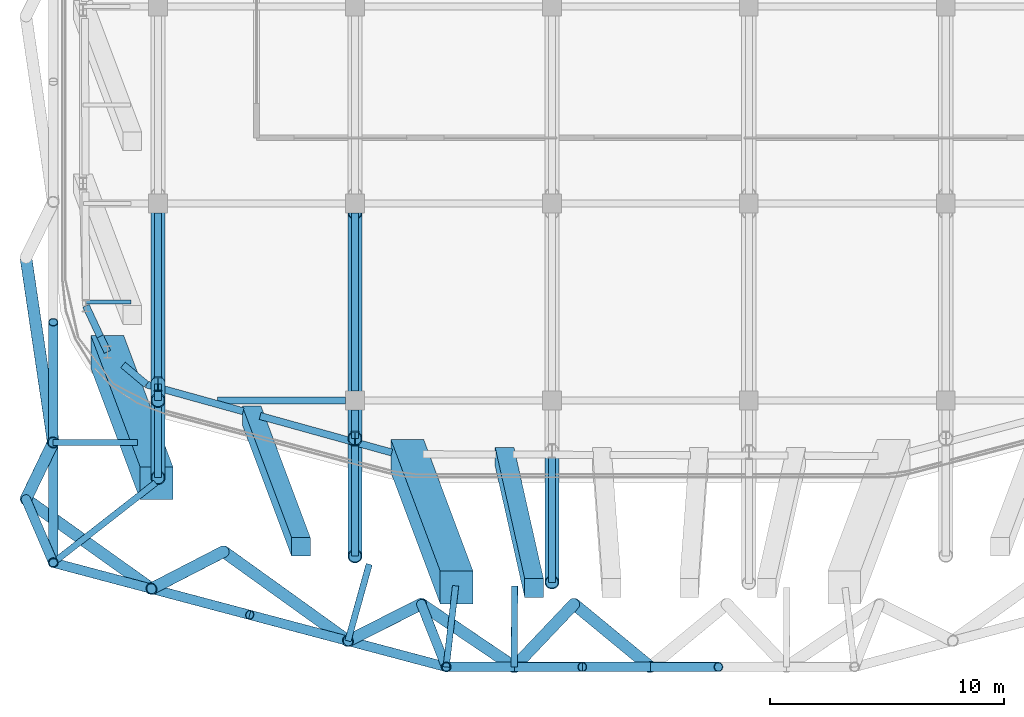
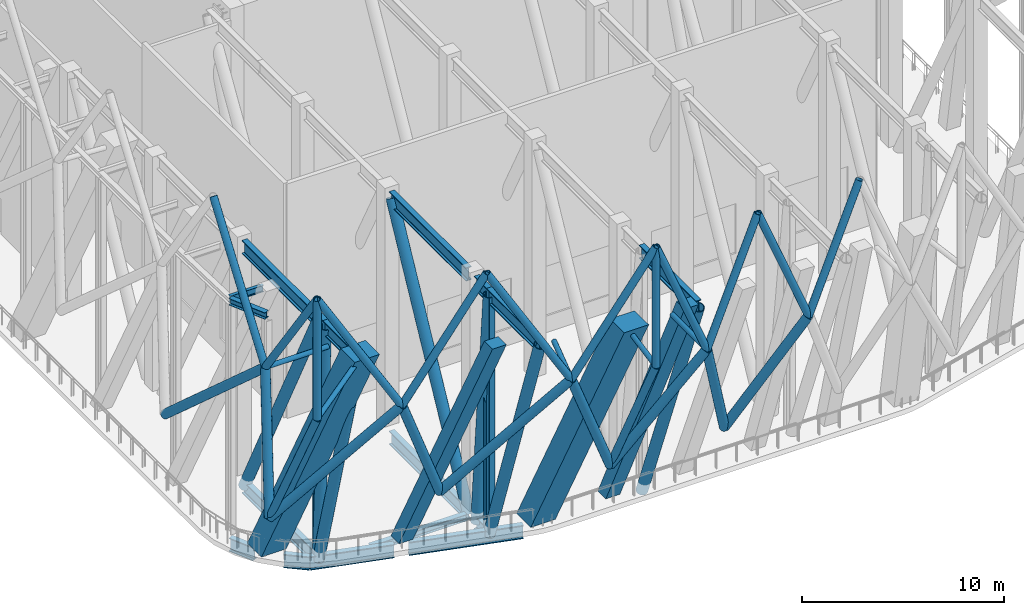
# One storey, part 2 of 20: 34 members, 24 beams.
"""IFC4 building model written with IfcOpenShell, lengths in metres."""

from ifc_helpers import new_model, si_unit, direction, frame, origin, origin_2d, place, context, subcontext, project, spatial, rectangle, hollow_circle, i_section, extrude, material, material_profile, profile_set, type_object, element, save


model = new_model("IFC4")

# Units and contexts
model_context = context("Model", 3, precision=1e-05, world=origin(), true_north=direction((0.0, 1.0)))
body_context = subcontext(model_context, "Body", "Model", "MODEL_VIEW")
ifc_project = project(units=[si_unit("LENGTHUNIT", "METRE"), si_unit("AREAUNIT", "SQUARE_METRE"), si_unit("VOLUMEUNIT", "CUBIC_METRE"), si_unit("PLANEANGLEUNIT", "RADIAN"), si_unit("MASSUNIT", "GRAM", prefix="KILO")], contexts=[model_context])

# Site, building, storey
site_placement = place(None, origin())
site = spatial("IfcSite", under=ifc_project, at=site_placement, CompositionType="ELEMENT")
building_placement = place(site_placement, origin())
building = spatial("IfcBuilding", under=site, at=building_placement, Name="Marenta Gate Hotel Tower", CompositionType="ELEMENT")
storey_placement = place(building_placement, frame((0.0, 0.0, 252.5)))
storey = spatial("IfcBuildingStorey", under=building, at=storey_placement, Name="L60", CompositionType="ELEMENT", Elevation=252.5)

# Members
ifc_material_1 = material(Name="Steel S355J2W", Category="steel")
ifc_material_profile_1 = material_profile(ifc_material_1, hollow_circle(Radius=0.203125, WallThickness=0.02490234375, at=origin_2d()), Name="CHS 406.4x25")
ifc_profile_set_1 = profile_set([ifc_material_profile_1], Name="Steel S355J2W")
member_type_1 = type_object("IfcMemberType", Name="Diagrid corner post Z3 CHS 406.4x25", PredefinedType="POST", material=ifc_profile_set_1)
member_1_placement = place(storey_placement, frame((-9.77392578125, -33.885009765625, 6.739990234375), z_axis=(0.137274232816, -0.34611233666, 0.928095919298), x_axis=(0.929556929087, 0.368678607445, 0.0)))
element("IfcMember", 1, at=member_1_placement, inside=storey, type_object=member_type_1, Name="L60-DR-4", PredefinedType="POST", context=body_context, shape_type="SweptSolid", body=[
    extrude(hollow_circle(Radius=0.203125, WallThickness=0.02490234375, at=origin_2d()), origin(), (0.0, 0.0, 1.0), 7.7578125),
])
member_2_placement = place(storey_placement, frame((-26.635009765625, -29.41162109375, 6.739990234375), z_axis=(0.149721527794, -0.348482189691, 0.925280296766), x_axis=(0.91878952383, 0.394747781374, 0.0)))
element("IfcMember", 2, at=member_2_placement, inside=storey, type_object=member_type_1, Name="L60-DR-5", PredefinedType="POST", context=body_context, shape_type="SweptSolid", body=[
    extrude(hollow_circle(Radius=0.203125, WallThickness=0.02490234375, at=origin_2d()), origin(), (0.0, 0.0, 1.0), 7.781494140625),
])
ifc_material_2 = material(Name="Steel S355J2W", Category="steel")
ifc_material_profile_2 = material_profile(ifc_material_2, hollow_circle(Radius=0.203125, WallThickness=0.01611328125, at=origin_2d()), Name="CHS 406.4x16")
ifc_profile_set_2 = profile_set([ifc_material_profile_2], Name="Steel S355J2W")
member_type_2 = type_object("IfcMemberType", Name="Diagrid corner post Z4 CHS 406.4x16", PredefinedType="POST", material=ifc_profile_set_2)
for number, where, z_axis, x_axis, name in (
    (3, (-8.708984375, -36.570068359375, 13.93994140625), (0.0, 0.0, 1.0), (1.0, 0.0, 0.0), "L60-DR-10"),
    (4, (-25.469970703125, -32.123291015625, 13.93994140625), (0.0, 0.0, 1.0), (1.0, 0.0, 0.0), "L60-DR-11"),
):
    element("IfcMember", number, at=place(storey_placement, frame(where, z_axis=z_axis, x_axis=x_axis)), inside=storey, type_object=member_type_2, Name=name, PredefinedType="POST", context=body_context, shape_type="SweptSolid", body=[
        extrude(hollow_circle(Radius=0.203125, WallThickness=0.01611328125, at=origin_2d()), origin(), (0.0, 0.0, 1.0), 7.199951171875),
    ])
ifc_material_3 = material(Name="Steel S355J2W", Category="steel")
ifc_material_profile_3 = material_profile(ifc_material_3, hollow_circle(Radius=0.25390625, WallThickness=0.0400390625, at=origin_2d()), Name="CHS 508x40")
ifc_profile_set_3 = profile_set([ifc_material_profile_3], Name="Steel S355J2W")
member_type_3 = type_object("IfcMemberType", Name="Diagrid diagonal T3 CHS 508x40", PredefinedType="BRACE", material=ifc_profile_set_3)
member_3_placement = place(storey_placement, frame((-3.258056640625, -33.885009765625, 6.739990234375), z_axis=(0.390350863706, -0.321699422933, 0.862632995247), x_axis=(0.635982874894, 0.771703170164, 0.0)))
element("IfcMember", 5, at=member_3_placement, inside=storey, type_object=member_type_3, Name="L60-DG-18", PredefinedType="BRACE", context=body_context, shape_type="SweptSolid", body=[
    extrude(hollow_circle(Radius=0.25390625, WallThickness=0.0400390625, at=origin_2d()), origin(), (0.0, 0.0, 1.0), 8.346435546875),
])
member_4_placement = place(storey_placement, frame((-3.258056640625, -33.885009765625, 6.739990234375), z_axis=(-0.314716585897, -0.331664719403, 0.889354813595), x_axis=(0.725397829228, -0.688329855049, 0.0)))
element("IfcMember", 6, at=member_4_placement, inside=storey, type_object=member_type_3, Name="L60-DG-19", PredefinedType="BRACE", context=body_context, shape_type="SweptSolid", body=[
    extrude(hollow_circle(Radius=0.25390625, WallThickness=0.0400390625, at=origin_2d()), origin(), (0.0, 0.0, 1.0), 8.095703125),
])
member_5_placement = place(storey_placement, frame((-9.77392578125, -33.885009765625, 6.739990234375), z_axis=(0.458817746261, -0.310470533032, 0.832522866854), x_axis=(0.560425550296, 0.828204807143, 0.0)))
element("IfcMember", 7, at=member_5_placement, inside=storey, type_object=member_type_3, Name="L60-DG-20", PredefinedType="BRACE", context=body_context, shape_type="SweptSolid", body=[
    extrude(hollow_circle(Radius=0.25390625, WallThickness=0.0400390625, at=origin_2d()), origin(), (0.0, 0.0, 1.0), 8.6484375),
])
member_6_placement = place(storey_placement, frame((-9.77392578125, -33.885009765625, 6.739990234375), z_axis=(-0.390432748257, -0.196527779235, 0.899410418595), x_axis=(0.449612149483, -0.893223888528, 0.0)))
element("IfcMember", 8, at=member_6_placement, inside=storey, type_object=member_type_3, Name="L60-DG-21", PredefinedType="BRACE", context=body_context, shape_type="SweptSolid", body=[
    extrude(hollow_circle(Radius=0.25390625, WallThickness=0.0400390625, at=origin_2d()), origin(), (0.0, 0.0, 1.0), 8.005126953125),
])
member_7_placement = place(storey_placement, frame((-18.20458984375, -31.648193359375, 6.739990234375), z_axis=(0.545735479008, -0.391935015435, 0.740648182762), x_axis=(0.583329468856, 0.812235637463, 0.0)))
element("IfcMember", 9, at=member_7_placement, inside=storey, type_object=member_type_3, Name="L60-DG-22", PredefinedType="BRACE", context=body_context, shape_type="SweptSolid", body=[
    extrude(hollow_circle(Radius=0.25390625, WallThickness=0.0400390625, at=origin_2d()), origin(), (0.0, 0.0, 1.0), 9.72119140625),
])
member_8_placement = place(storey_placement, frame((-18.20458984375, -31.648193359375, 6.739990234375), z_axis=(-0.384960287147, -0.198623126879, 0.901307067979), x_axis=(0.458522506258, -0.888682795634, 0.0)))
element("IfcMember", 10, at=member_8_placement, inside=storey, type_object=member_type_3, Name="L60-DG-23", PredefinedType="BRACE", context=body_context, shape_type="SweptSolid", body=[
    extrude(hollow_circle(Radius=0.25390625, WallThickness=0.0400390625, at=origin_2d()), origin(), (0.0, 0.0, 1.0), 7.98828125),
])
member_9_placement = place(storey_placement, frame((-26.635009765625, -29.41162109375, 6.739990234375), z_axis=(0.549044744476, -0.391978149008, 0.738175452899), x_axis=(0.581045137447, 0.813871333965, 0.0)))
element("IfcMember", 11, at=member_9_placement, inside=storey, type_object=member_type_3, Name="L60-DG-24", PredefinedType="BRACE", context=body_context, shape_type="SweptSolid", body=[
    extrude(hollow_circle(Radius=0.25390625, WallThickness=0.0400390625, at=origin_2d()), origin(), (0.0, 0.0, 1.0), 9.753662109375),
])
member_10_placement = place(storey_placement, frame((-26.635009765625, -29.41162109375, 6.739990234375), z_axis=(0.151621202874, 0.314648946366, 0.937020304684), x_axis=(-0.900863347465, 0.434102786439, 0.0)))
element("IfcMember", 12, at=member_10_placement, inside=storey, type_object=member_type_3, Name="L60-DG-25", PredefinedType="BRACE", context=body_context, shape_type="SweptSolid", body=[
    extrude(hollow_circle(Radius=0.25390625, WallThickness=0.0400390625, at=origin_2d()), origin(), (0.0, 0.0, 1.0), 7.683837890625),
])
member_11_placement = place(storey_placement, frame((-26.635009765625, -19.1123046875, 6.739990234375), z_axis=(0.108491449079, -0.733954201721, 0.670478064707), x_axis=(0.98925079432, 0.146228813632, 0.0)))
element("IfcMember", 13, at=member_11_placement, inside=storey, type_object=member_type_3, Name="L60-DG-26", PredefinedType="BRACE", context=body_context, shape_type="SweptSolid", body=[
    extrude(hollow_circle(Radius=0.25390625, WallThickness=0.0400390625, at=origin_2d()), origin(), (0.0, 0.0, 1.0), 10.738525390625),
])
ifc_material_4 = material(Name="Steel S355J2W", Category="steel")
ifc_material_profile_4 = material_profile(ifc_material_4, hollow_circle(Radius=0.203125, WallThickness=0.02490234375, at=origin_2d()), Name="CHS 406.4x25")
ifc_profile_set_4 = profile_set([ifc_material_profile_4], Name="Steel S355J2W")
member_type_4 = type_object("IfcMemberType", Name="Diagrid diagonal Z4 CHS 406.4x25", PredefinedType="BRACE", material=ifc_profile_set_4)
for number, where, z_axis, x_axis, name in (
    (14, (0.0, -36.570068359375, 13.93994140625), (0.373953937689, 0.0, 0.92744727747), (0.0, 1.0, 0.0), "L60-DG-51"),
    (15, (0.0, -36.570068359375, 13.93994140625), (-0.373953937689, 0.0, 0.92744727747), (0.0, -1.0, 0.0), "L60-DG-52"),
    (16, (-5.805908203125, -36.570068359375, 13.93994140625), (0.373926886532, 0.0, 0.927458184248), (0.0, 1.0, 0.0), "L60-DG-53"),
    (17, (-5.805908203125, -36.570068359375, 13.93994140625), (-0.373953937689, 0.0, 0.92744727747), (0.0, -1.0, 0.0), "L60-DG-54"),
):
    element("IfcMember", number, at=place(storey_placement, frame(where, z_axis=z_axis, x_axis=x_axis)), inside=storey, type_object=member_type_4, Name=name, PredefinedType="BRACE", context=body_context, shape_type="SweptSolid", body=[
        extrude(hollow_circle(Radius=0.203125, WallThickness=0.02490234375, at=origin_2d()), origin(), (0.0, 0.0, 1.0), 7.76318359375),
    ])
member_12_placement = place(storey_placement, frame((-12.8994140625, -35.458251953125, 13.93994140625), z_axis=(0.498595291069, -0.13228868303, 0.856681060878), x_axis=(0.256449730421, 0.966557569815, 0.0)))
element("IfcMember", 18, at=member_12_placement, inside=storey, type_object=member_type_4, Name="L60-DG-55", PredefinedType="BRACE", context=body_context, shape_type="SweptSolid", body=[
    extrude(hollow_circle(Radius=0.203125, WallThickness=0.02490234375, at=origin_2d()), origin(), (0.0, 0.0, 1.0), 8.404541015625),
])
for number, where, z_axis, x_axis, name in (
    (19, (-12.8994140625, -35.458251953125, 13.93994140625), (-0.498575378967, 0.132262057941, 0.856696760538), (-0.256411076507, -0.966567824751, 0.0), "L60-DG-56"),
    (20, (-21.27978515625, -33.23486328125, 13.93994140625), (0.498573463173, -0.132290599038, 0.856693468649), (0.256463689668, 0.966553866001, 0.0), "L60-DG-57"),
    (21, (-21.27978515625, -33.23486328125, 13.93994140625), (-0.498575378967, 0.132262057941, 0.856696760538), (-0.256411076507, -0.966567824751, 0.0), "L60-DG-58"),
):
    element("IfcMember", number, at=place(storey_placement, frame(where, z_axis=z_axis, x_axis=x_axis)), inside=storey, type_object=member_type_4, Name=name, PredefinedType="BRACE", context=body_context, shape_type="SweptSolid", body=[
        extrude(hollow_circle(Radius=0.203125, WallThickness=0.02490234375, at=origin_2d()), origin(), (0.0, 0.0, 1.0), 8.404296875),
    ])
for number, where, z_axis, x_axis, name in (
    (22, (-25.469970703125, -26.993896484375, 13.93994140625), (0.0, -0.580231970533, 0.81445126335), (1.0, 0.0, 0.0), "L60-DG-59"),
    (23, (-25.469970703125, -26.993896484375, 13.93994140625), (0.0, 0.580231970533, 0.81445126335), (-1.0, 0.0, 0.0), "L60-DG-60"),
):
    element("IfcMember", number, at=place(storey_placement, frame(where, z_axis=z_axis, x_axis=x_axis)), inside=storey, type_object=member_type_4, Name=name, PredefinedType="BRACE", context=body_context, shape_type="SweptSolid", body=[
        extrude(hollow_circle(Radius=0.203125, WallThickness=0.02490234375, at=origin_2d()), origin(), (0.0, 0.0, 1.0), 8.84033203125),
    ])

# Beams
ifc_material_5 = material(Name="Steel S355", Category="steel")
ifc_material_profile_5 = material_profile(ifc_material_5, i_section(OverallWidth=0.302978515625, OverallDepth=0.81396484375, WebThickness=0.030029296875, FlangeThickness=0.052001953125, FilletRadius=0.030029296875, at=origin_2d()), Name="HEM 800")
ifc_profile_set_5 = profile_set([ifc_material_profile_5], Name="Steel S355")
beam_type_1 = type_object("IfcBeamType", Name="Edge beam HEM 800", PredefinedType="SPANDREL", material=ifc_profile_set_5)
beam_1_placement = place(storey_placement, frame((-11.02783203125, -27.42236328125, -0.70703125), z_axis=(-0.963619240724, 0.267278803699, 0.0), x_axis=(-0.267278803699, -0.963619240724, 0.0)))
element("IfcBeam", 24, at=beam_1_placement, inside=storey, type_object=beam_type_1, Name="L60-EB-1", PredefinedType="SPANDREL", context=body_context, shape_type="SweptSolid", body=[
    extrude(i_section(OverallWidth=0.302978515625, OverallDepth=0.81396484375, WebThickness=0.030029296875, FlangeThickness=0.052001953125, FilletRadius=0.030029296875, at=origin_2d()), origin(), (0.0, 0.0, 1.0), 5.82958984375),
])
beam_2_placement = place(storey_placement, frame((-17.3681640625, -25.663818359375, -0.70703125), z_axis=(-0.963628037304, 0.267247087396, 0.0), x_axis=(-0.267247087396, -0.963628037304, 0.0)))
element("IfcBeam", 25, at=beam_2_placement, inside=storey, type_object=beam_type_1, Name="L60-EB-2", PredefinedType="SPANDREL", context=body_context, shape_type="SweptSolid", body=[
    extrude(i_section(OverallWidth=0.302978515625, OverallDepth=0.81396484375, WebThickness=0.030029296875, FlangeThickness=0.052001953125, FilletRadius=0.030029296875, at=origin_2d()), origin(), (0.0, 0.0, 1.0), 4.284423828125),
])
beam_3_placement = place(storey_placement, frame((-21.496826171875, -24.518798828125, -0.70703125), z_axis=(-0.767065103149, 0.641569269472, 0.0), x_axis=(-0.641569269472, -0.767065103149, 0.0)))
element("IfcBeam", 26, at=beam_3_placement, inside=storey, type_object=beam_type_1, Name="L60-EB-3", PredefinedType="SPANDREL", context=body_context, shape_type="SweptSolid", body=[
    extrude(i_section(OverallWidth=0.302978515625, OverallDepth=0.81396484375, WebThickness=0.030029296875, FlangeThickness=0.052001953125, FilletRadius=0.030029296875, at=origin_2d()), origin(), (0.0, 0.0, 1.0), 1.299560546875),
])
beam_4_placement = place(storey_placement, frame((-23.466796875, -22.46923828125, -0.70703125), z_axis=(-0.423341112024, 0.905970365338, 0.0), x_axis=(-0.905970365338, -0.423341112024, 0.0)))
element("IfcBeam", 27, at=beam_4_placement, inside=storey, type_object=beam_type_1, Name="L60-EB-4", PredefinedType="SPANDREL", context=body_context, shape_type="SweptSolid", body=[
    extrude(i_section(OverallWidth=0.302978515625, OverallDepth=0.81396484375, WebThickness=0.030029296875, FlangeThickness=0.052001953125, FilletRadius=0.030029296875, at=origin_2d()), origin(), (0.0, 0.0, 1.0), 1.437255859375),
])

# Members
ifc_material_6 = material(Name="Concrete C60", Category="concrete")
ifc_material_profile_6 = material_profile(ifc_material_6, rectangle(XDim=0.800048828125, YDim=0.800048828125, at=origin_2d()), Name="800 x 800")
ifc_profile_set_6 = profile_set([ifc_material_profile_6], Name="Concrete C60")
member_type_5 = type_object("IfcMemberType", Name="Edge column raked 800 x 800 C60", PredefinedType="STRUT", material=ifc_profile_set_6)
member_13_placement = place(storey_placement, frame((-6.22021484375, -27.60009765625, 0.0), z_axis=(0.0, 0.0, 1.0), x_axis=(1.0, 0.0, 0.0)))
element("IfcMember", 28, at=member_13_placement, inside=storey, type_object=member_type_5, Name="L60-EC-SKE-SKW-4", PredefinedType="STRUT", context=body_context, shape_type="SweptSolid", body=[
    extrude(rectangle(XDim=0.800048828125, YDim=0.800048828125, at=origin_2d()), origin(), (0.081281958561, -0.361240899731, 0.928923169898), 15.501708984375),
])
member_14_placement = place(storey_placement, frame((-17.0068359375, -25.839111328125, 0.0), z_axis=(0.0, 0.0, 1.0), x_axis=(1.0, 0.0, 0.0)))
element("IfcMember", 29, at=member_14_placement, inside=storey, type_object=member_type_5, Name="L60-EC-SKW-SW-1", PredefinedType="STRUT", context=body_context, shape_type="SweptSolid", body=[
    extrude(rectangle(XDim=0.800048828125, YDim=0.800048828125, at=origin_2d()), origin(), (0.134685667796, -0.359151342469, 0.923509655658), 15.592529296875),
])
ifc_material_7 = material(Name="Steel S355J2W", Category="steel")
ifc_material_profile_7 = material_profile(ifc_material_7, hollow_circle(Radius=0.136474609375, WallThickness=0.012451171875, at=origin_2d()), Name="CHS 273x12.5")
ifc_profile_set_7 = profile_set([ifc_material_profile_7], Name="Steel S355J2W")
member_type_6 = type_object("IfcMemberType", Name="Floor tie CHS 273x12.5", PredefinedType="STRUT", material=ifc_profile_set_7)
member_15_placement = place(storey_placement, frame((-5.805908203125, -36.570068359375, 13.93994140625), z_axis=(0.004741295515, 0.999988759995, 0.0), x_axis=(-0.999988759995, 0.004741295515, 0.0)))
element("IfcMember", 30, at=member_15_placement, inside=storey, type_object=member_type_6, Name="L60-DR-21", PredefinedType="STRUT", context=body_context, shape_type="SweptSolid", body=[
    extrude(hollow_circle(Radius=0.136474609375, WallThickness=0.012451171875, at=origin_2d()), origin(), (0.0, 0.0, 1.0), 3.449951171875),
])
member_16_placement = place(storey_placement, frame((-8.708984375, -36.570068359375, 13.93994140625), z_axis=(0.115166512964, 0.993346200623, 0.0), x_axis=(-0.993346200623, 0.115166512964, 0.0)))
element("IfcMember", 31, at=member_16_placement, inside=storey, type_object=member_type_6, Name="L60-DR-22", PredefinedType="STRUT", context=body_context, shape_type="SweptSolid", body=[
    extrude(hollow_circle(Radius=0.136474609375, WallThickness=0.012451171875, at=origin_2d()), origin(), (0.0, 0.0, 1.0), 3.485107421875),
])
member_17_placement = place(storey_placement, frame((-12.8994140625, -35.458251953125, 13.93994140625), z_axis=(0.267321056, 0.963607520217, 0.0), x_axis=(-0.963607520217, 0.267321056, 0.0)))
element("IfcMember", 32, at=member_17_placement, inside=storey, type_object=member_type_6, Name="L60-DR-23", PredefinedType="STRUT", context=body_context, shape_type="SweptSolid", body=[
    extrude(hollow_circle(Radius=0.136474609375, WallThickness=0.012451171875, at=origin_2d()), origin(), (0.0, 0.0, 1.0), 3.393798828125),
])
member_18_placement = place(storey_placement, frame((-25.469970703125, -32.123291015625, 13.93994140625), z_axis=(0.788159934459, 0.615470484843, 0.0), x_axis=(-0.615470484843, 0.788159934459, 0.0)))
element("IfcMember", 33, at=member_18_placement, inside=storey, type_object=member_type_6, Name="L60-DR-24", PredefinedType="STRUT", context=body_context, shape_type="SweptSolid", body=[
    extrude(hollow_circle(Radius=0.136474609375, WallThickness=0.012451171875, at=origin_2d()), origin(), (0.0, 0.0, 1.0), 5.5419921875),
])
member_19_placement = place(storey_placement, frame((-25.469970703125, -26.993896484375, 13.93994140625), z_axis=(0.99999999768, 6.8119891e-05, 0.0), x_axis=(-6.8119891e-05, 0.99999999768, 0.0)))
element("IfcMember", 34, at=member_19_placement, inside=storey, type_object=member_type_6, Name="L60-DR-25", PredefinedType="STRUT", context=body_context, shape_type="SweptSolid", body=[
    extrude(hollow_circle(Radius=0.136474609375, WallThickness=0.012451171875, at=origin_2d()), origin(), (0.0, 0.0, 1.0), 3.583984375),
])

# Beam
ifc_material_8 = material(Name="Steel S355", Category="steel")
ifc_material_profile_8 = material_profile(ifc_material_8, i_section(OverallWidth=0.300048828125, OverallDepth=0.39990234375, WebThickness=0.013427734375, FlangeThickness=0.02392578125, FilletRadius=0.027099609375, at=origin_2d()), Name="HEB 400")
ifc_profile_set_8 = profile_set([ifc_material_profile_8], Name="Steel S355")
beam_type_2 = type_object("IfcBeamType", Name="Girder HEB 400", PredefinedType="BEAM", material=ifc_profile_set_8)
beam_5_placement = place(storey_placement, frame((-18.4736328125, -25.199951171875, -0.5), z_axis=(1.0, 0.0, 0.0), x_axis=(0.0, 1.0, 0.0)))
element("IfcBeam", 35, at=beam_5_placement, inside=storey, type_object=beam_type_2, Name="L60-GD-1", PredefinedType="BEAM", context=body_context, shape_type="SweptSolid", body=[
    extrude(i_section(OverallWidth=0.300048828125, OverallDepth=0.39990234375, WebThickness=0.013427734375, FlangeThickness=0.02392578125, FilletRadius=0.027099609375, at=origin_2d()), origin(), (0.0, 0.0, 1.0), 5.4736328125),
])

# Members
ifc_material_9 = material(Name="Concrete C60", Category="concrete")
ifc_material_profile_9 = material_profile(ifc_material_9, rectangle(XDim=1.39990234375, YDim=1.39990234375, at=origin_2d()), Name="1400 x 1400")
ifc_profile_set_9 = profile_set([ifc_material_profile_9], Name="Concrete C60")
member_type_7 = type_object("IfcMemberType", Name="Mega column raked 1400 x 1400 C60", PredefinedType="STRUT", material=ifc_profile_set_9)
member_20_placement = place(storey_placement, frame((-23.1630859375, -23.133056640625, 0.0), z_axis=(0.0, 0.0, 1.0), x_axis=(1.0, 0.0, 0.0)))
element("IfcMember", 36, at=member_20_placement, inside=storey, type_object=member_type_7, Name="L60-MC-SW", PredefinedType="STRUT", context=body_context, shape_type="SweptSolid", body=[
    extrude(rectangle(XDim=1.39990234375, YDim=1.39990234375, at=origin_2d()), origin(), (0.134686425178, -0.359137704524, 0.923514848858), 15.592529296875),
])
member_21_placement = place(storey_placement, frame((-10.3662109375, -27.57470703125, 0.0), z_axis=(0.0, 0.0, 1.0), x_axis=(1.0, 0.0, 0.0)))
element("IfcMember", 37, at=member_21_placement, inside=storey, type_object=member_type_7, Name="L60-MC-SKW", PredefinedType="STRUT", context=body_context, shape_type="SweptSolid", body=[
    extrude(rectangle(XDim=1.39990234375, YDim=1.39990234375, at=origin_2d()), origin(), (0.134670294295, -0.359152099819, 0.923511603084), 15.592529296875),
])

# Beams
ifc_material_10 = material(Name="Steel S355", Category="steel")
ifc_material_profile_10 = material_profile(ifc_material_10, i_section(OverallWidth=0.302978515625, OverallDepth=0.81396484375, WebThickness=0.030029296875, FlangeThickness=0.052001953125, FilletRadius=0.030029296875, at=origin_2d()), Name="HEM 800")
ifc_profile_set_10 = profile_set([ifc_material_profile_10], Name="Steel S355")
beam_type_3 = type_object("IfcBeamType", Name="Outrigger truss chord HEM 800", PredefinedType="BEAM", material=ifc_profile_set_10)
for number, where, z_axis, x_axis, name in (
    (38, (-21.0, -17.199951171875, -0.70703125), (0.0, -1.0, 0.0), (1.0, 0.0, 0.0), "TC-HEM800 Outrigger truss T3-4 chord"),
    (39, (-21.0, -17.199951171875, 13.73291015625), (0.0, -1.0, 0.0), (1.0, 0.0, 0.0), "TC-HEM800 Outrigger truss T3-4 chord"),
):
    element("IfcBeam", number, at=place(storey_placement, frame(where, z_axis=z_axis, x_axis=x_axis)), inside=storey, type_object=beam_type_3, Name=name, PredefinedType="BEAM", context=body_context, shape_type="SweptSolid", body=[
        extrude(i_section(OverallWidth=0.302978515625, OverallDepth=0.81396484375, WebThickness=0.030029296875, FlangeThickness=0.052001953125, FilletRadius=0.030029296875, at=origin_2d()), origin(), (0.0, 0.0, 1.0), 7.29931640625),
    ])
beam_6_placement = place(storey_placement, frame((-21.0, -24.499267578125, 13.73291015625), z_axis=(0.0, -1.0, 0.0), x_axis=(1.0, 0.0, 0.0)))
element("IfcBeam", 40, at=beam_6_placement, inside=storey, type_object=beam_type_3, Name="TC-HEM800 Outrigger truss T3-4 chord", PredefinedType="BEAM", context=body_context, shape_type="SweptSolid", body=[
    extrude(i_section(OverallWidth=0.302978515625, OverallDepth=0.81396484375, WebThickness=0.030029296875, FlangeThickness=0.052001953125, FilletRadius=0.030029296875, at=origin_2d()), origin(), (0.0, 0.0, 1.0), 0.70068359375),
])
beam_7_placement = place(storey_placement, frame((-21.0, -25.199951171875, 13.73291015625), z_axis=(0.0, -1.0, 0.0), x_axis=(1.0, 0.0, 0.0)))
element("IfcBeam", 41, at=beam_7_placement, inside=storey, type_object=beam_type_3, Name="TC-HEM800 Outrigger truss T3-4 chord", PredefinedType="BEAM", context=body_context, shape_type="SweptSolid", body=[
    extrude(i_section(OverallWidth=0.302978515625, OverallDepth=0.81396484375, WebThickness=0.030029296875, FlangeThickness=0.052001953125, FilletRadius=0.030029296875, at=origin_2d()), origin(), (0.0, 0.0, 1.0), 3.296142578125),
])
beam_8_placement = place(storey_placement, frame((-12.60009765625, -17.199951171875, -0.70703125), z_axis=(0.0, -1.0, 0.0), x_axis=(1.0, 0.0, 0.0)))
element("IfcBeam", 42, at=beam_8_placement, inside=storey, type_object=beam_type_3, Name="TC-HEM800 Outrigger truss T3-5 chord", PredefinedType="BEAM", context=body_context, shape_type="SweptSolid", body=[
    extrude(i_section(OverallWidth=0.302978515625, OverallDepth=0.81396484375, WebThickness=0.030029296875, FlangeThickness=0.052001953125, FilletRadius=0.030029296875, at=origin_2d()), origin(), (0.0, 0.0, 1.0), 7.60009765625),
])
beam_9_placement = place(storey_placement, frame((-12.60009765625, -25.60009765625, -0.70703125), z_axis=(0.0, -1.0, 0.0), x_axis=(1.0, 0.0, 0.0)))
element("IfcBeam", 43, at=beam_9_placement, inside=storey, type_object=beam_type_3, Name="TC-HEM800 Outrigger truss T3-5 chord", PredefinedType="BEAM", context=body_context, shape_type="SweptSolid", body=[
    extrude(i_section(OverallWidth=0.302978515625, OverallDepth=0.81396484375, WebThickness=0.030029296875, FlangeThickness=0.052001953125, FilletRadius=0.030029296875, at=origin_2d()), origin(), (0.0, 0.0, 1.0), 1.22900390625),
])
beam_10_placement = place(storey_placement, frame((-12.60009765625, -17.199951171875, 13.73291015625), z_axis=(0.0, -1.0, 0.0), x_axis=(1.0, 0.0, 0.0)))
element("IfcBeam", 44, at=beam_10_placement, inside=storey, type_object=beam_type_3, Name="TC-HEM800 Outrigger truss T3-5 chord", PredefinedType="BEAM", context=body_context, shape_type="SweptSolid", body=[
    extrude(i_section(OverallWidth=0.302978515625, OverallDepth=0.81396484375, WebThickness=0.030029296875, FlangeThickness=0.052001953125, FilletRadius=0.030029296875, at=origin_2d()), origin(), (0.0, 0.0, 1.0), 7.60009765625),
])
beam_11_placement = place(storey_placement, frame((-12.60009765625, -25.60009765625, 13.73291015625), z_axis=(0.0, -1.0, 0.0), x_axis=(1.0, 0.0, 0.0)))
element("IfcBeam", 45, at=beam_11_placement, inside=storey, type_object=beam_type_3, Name="TC-HEM800 Outrigger truss T3-5 chord", PredefinedType="BEAM", context=body_context, shape_type="SweptSolid", body=[
    extrude(i_section(OverallWidth=0.302978515625, OverallDepth=0.81396484375, WebThickness=0.030029296875, FlangeThickness=0.052001953125, FilletRadius=0.030029296875, at=origin_2d()), origin(), (0.0, 0.0, 1.0), 1.22900390625),
])
beam_12_placement = place(storey_placement, frame((-12.60009765625, -26.8291015625, 13.73291015625), z_axis=(0.0, -1.0, 0.0), x_axis=(1.0, 0.0, 0.0)))
element("IfcBeam", 46, at=beam_12_placement, inside=storey, type_object=beam_type_3, Name="TC-HEM800 Outrigger truss T3-5 chord", PredefinedType="BEAM", context=body_context, shape_type="SweptSolid", body=[
    extrude(i_section(OverallWidth=0.302978515625, OverallDepth=0.81396484375, WebThickness=0.030029296875, FlangeThickness=0.052001953125, FilletRadius=0.030029296875, at=origin_2d()), origin(), (0.0, 0.0, 1.0), 5.017578125),
])
beam_13_placement = place(storey_placement, frame((-4.199951171875, -27.365234375, 13.73291015625), z_axis=(0.0, -1.0, 0.0), x_axis=(1.0, 0.0, 0.0)))
element("IfcBeam", 47, at=beam_13_placement, inside=storey, type_object=beam_type_3, Name="TC-HEM800 Outrigger truss T3-6 chord", PredefinedType="BEAM", context=body_context, shape_type="SweptSolid", body=[
    extrude(i_section(OverallWidth=0.302978515625, OverallDepth=0.81396484375, WebThickness=0.030029296875, FlangeThickness=0.052001953125, FilletRadius=0.030029296875, at=origin_2d()), origin(), (0.0, 0.0, 1.0), 5.59619140625),
])
ifc_material_11 = material(Name="Steel S355", Category="steel")
ifc_material_profile_11 = material_profile(ifc_material_11, hollow_circle(Radius=0.304931640625, WallThickness=0.0400390625, at=origin_2d()), Name="CHS 610x40")
ifc_profile_set_11 = profile_set([ifc_material_profile_11], Name="Steel S355")
beam_type_4 = type_object("IfcBeamType", Name="Outrigger truss diagonal CHS 610x40", PredefinedType="BEAM", material=ifc_profile_set_11)
beam_14_placement = place(storey_placement, frame((-21.0, -17.199951171875, -0.70703125), z_axis=(0.0, -0.451132446787, 0.892457010425), x_axis=(1.0, 0.0, 0.0)))
element("IfcBeam", 48, at=beam_14_placement, inside=storey, type_object=beam_type_4, Name="Outrigger truss T3-4 diagonal", PredefinedType="BEAM", context=body_context, shape_type="SweptSolid", body=[
    extrude(hollow_circle(Radius=0.304931640625, WallThickness=0.0400390625, at=origin_2d()), origin(), (0.0, 0.0, 1.0), 16.179931640625),
])
beam_15_placement = place(storey_placement, frame((-21.0, -24.499267578125, -0.70703125), z_axis=(0.0, -0.048466965408, 0.998824786068), x_axis=(1.0, 0.0, 0.0)))
element("IfcBeam", 49, at=beam_15_placement, inside=storey, type_object=beam_type_4, Name="Outrigger truss T3-4 diagonal", PredefinedType="BEAM", context=body_context, shape_type="SweptSolid", body=[
    extrude(hollow_circle(Radius=0.304931640625, WallThickness=0.0400390625, at=origin_2d()), origin(), (0.0, 0.0, 1.0), 14.45703125),
])
beam_16_placement = place(storey_placement, frame((-21.0, -24.499267578125, -0.70703125), z_axis=(0.0, -0.266759638208, 0.963763090922), x_axis=(1.0, 0.0, 0.0)))
element("IfcBeam", 50, at=beam_16_placement, inside=storey, type_object=beam_type_4, Name="Outrigger truss T3-4 diagonal", PredefinedType="BEAM", context=body_context, shape_type="SweptSolid", body=[
    extrude(hollow_circle(Radius=0.304931640625, WallThickness=0.0400390625, at=origin_2d()), origin(), (0.0, 0.0, 1.0), 14.98291015625),
])
beam_17_placement = place(storey_placement, frame((-12.60009765625, -17.199951171875, 13.73291015625), z_axis=(0.0, -0.465752599181, -0.884914976908), x_axis=(1.0, 0.0, 0.0)))
element("IfcBeam", 51, at=beam_17_placement, inside=storey, type_object=beam_type_4, Name="Outrigger truss T3-5 diagonal", PredefinedType="BEAM", context=body_context, shape_type="SweptSolid", body=[
    extrude(hollow_circle(Radius=0.304931640625, WallThickness=0.0400390625, at=origin_2d()), origin(), (0.0, 0.0, 1.0), 16.31787109375),
])
beam_18_placement = place(storey_placement, frame((-12.60009765625, -25.60009765625, -0.70703125), z_axis=(0.0, -0.084804812393, 0.996397583194), x_axis=(1.0, 0.0, 0.0)))
element("IfcBeam", 52, at=beam_18_placement, inside=storey, type_object=beam_type_4, Name="Outrigger truss T3-5 diagonal", PredefinedType="BEAM", context=body_context, shape_type="SweptSolid", body=[
    extrude(hollow_circle(Radius=0.304931640625, WallThickness=0.0400390625, at=origin_2d()), origin(), (0.0, 0.0, 1.0), 14.4921875),
])
beam_19_placement = place(storey_placement, frame((-12.60009765625, -26.8291015625, -0.70703125), z_axis=(0.0, -0.328228236386, 0.944598446346), x_axis=(1.0, 0.0, 0.0)))
element("IfcBeam", 53, at=beam_19_placement, inside=storey, type_object=beam_type_4, Name="Outrigger truss T3-5 diagonal", PredefinedType="BEAM", context=body_context, shape_type="SweptSolid", body=[
    extrude(hollow_circle(Radius=0.304931640625, WallThickness=0.0400390625, at=origin_2d()), origin(), (0.0, 0.0, 1.0), 15.286865234375),
])
beam_20_placement = place(storey_placement, frame((-4.199951171875, -27.365234375, -0.70703125), z_axis=(0.0, -0.361347453114, 0.932431240429), x_axis=(1.0, 0.0, 0.0)))
element("IfcBeam", 54, at=beam_20_placement, inside=storey, type_object=beam_type_4, Name="Outrigger truss T3-6 diagonal", PredefinedType="BEAM", context=body_context, shape_type="SweptSolid", body=[
    extrude(hollow_circle(Radius=0.304931640625, WallThickness=0.0400390625, at=origin_2d()), origin(), (0.0, 0.0, 1.0), 15.486328125),
])

# Members
ifc_material_12 = material(Name="Steel S355", Category="steel")
ifc_material_profile_12 = material_profile(ifc_material_12, i_section(OverallWidth=0.304931640625, OverallDepth=0.6201171875, WebThickness=0.02490234375, FlangeThickness=0.0439453125, FilletRadius=0.027099609375, at=origin_2d()), Name="HEM 600")
ifc_profile_set_12 = profile_set([ifc_material_profile_12], Name="Steel S355")
member_type_8 = type_object("IfcMemberType", Name="Outrigger truss post HEM 600", PredefinedType="POST", material=ifc_profile_set_12)
for number, where, z_axis, x_axis, name in (
    (55, (-21.0, -24.499267578125, -0.70703125), (0.0, 0.0, 1.0), (1.0, 0.0, 0.0), "TR-HEM600 Outrigger truss T3-4 post"),
    (56, (-12.60009765625, -26.8291015625, -0.70703125), (0.0, 0.0, 1.0), (1.0, 0.0, 0.0), "TR-HEM600 Outrigger truss T3-5 post"),
):
    element("IfcMember", number, at=place(storey_placement, frame(where, z_axis=z_axis, x_axis=x_axis)), inside=storey, type_object=member_type_8, Name=name, PredefinedType="POST", context=body_context, shape_type="SweptSolid", body=[
        extrude(i_section(OverallWidth=0.304931640625, OverallDepth=0.6201171875, WebThickness=0.02490234375, FlangeThickness=0.0439453125, FilletRadius=0.027099609375, at=origin_2d()), origin(), (0.0, 0.0, 1.0), 14.43994140625),
    ])

# Beams
ifc_material_13 = material(Name="Steel S355", Category="steel")
ifc_material_profile_13 = material_profile(ifc_material_13, i_section(OverallWidth=0.179931640625, OverallDepth=0.39990234375, WebThickness=0.008544921875, FlangeThickness=0.013427734375, FilletRadius=0.02099609375, at=origin_2d()), Name="IPE 400")
ifc_profile_set_13 = profile_set([ifc_material_profile_13], Name="Steel S355")
beam_type_5 = type_object("IfcBeamType", Name="Terrace beam IPE 400", PredefinedType="JOIST", material=ifc_profile_set_13)
beam_21_placement = place(storey_placement, frame((-24.0791015625, -21.0, 13.93994140625), z_axis=(1.0, 0.0, 0.0), x_axis=(0.0, 1.0, 0.0)))
element("IfcBeam", 57, at=beam_21_placement, inside=storey, type_object=beam_type_5, Name="L60-TB-21", PredefinedType="JOIST", context=body_context, shape_type="SweptSolid", body=[
    extrude(i_section(OverallWidth=0.179931640625, OverallDepth=0.39990234375, WebThickness=0.008544921875, FlangeThickness=0.013427734375, FilletRadius=0.02099609375, at=origin_2d()), origin(), (0.0, 0.0, 1.0), 1.933837890625),
])
ifc_material_14 = material(Name="Steel S355", Category="steel")
ifc_material_profile_14 = material_profile(ifc_material_14, i_section(OverallWidth=0.300048828125, OverallDepth=0.39990234375, WebThickness=0.013427734375, FlangeThickness=0.02392578125, FilletRadius=0.027099609375, at=origin_2d()), Name="HEB 400")
ifc_profile_set_14 = profile_set([ifc_material_profile_14], Name="Steel S355")
beam_type_6 = type_object("IfcBeamType", Name="Terrace edge beam HEB 400", PredefinedType="SPANDREL", material=ifc_profile_set_14)
beam_22_placement = place(storey_placement, frame((-23.158203125, -23.12939453125, 13.93994140625), z_axis=(-0.423385246573, 0.905949740871, 0.0), x_axis=(-0.905949740871, -0.423385246573, 0.0)))
element("IfcBeam", 58, at=beam_22_placement, inside=storey, type_object=beam_type_6, Name="L60-TE-1", PredefinedType="SPANDREL", context=body_context, shape_type="SweptSolid", body=[
    extrude(i_section(OverallWidth=0.300048828125, OverallDepth=0.39990234375, WebThickness=0.013427734375, FlangeThickness=0.02392578125, FilletRadius=0.027099609375, at=origin_2d()), origin(), (0.0, 0.0, 1.0), 2.165771484375),
])

save(model, "model.ifc")
